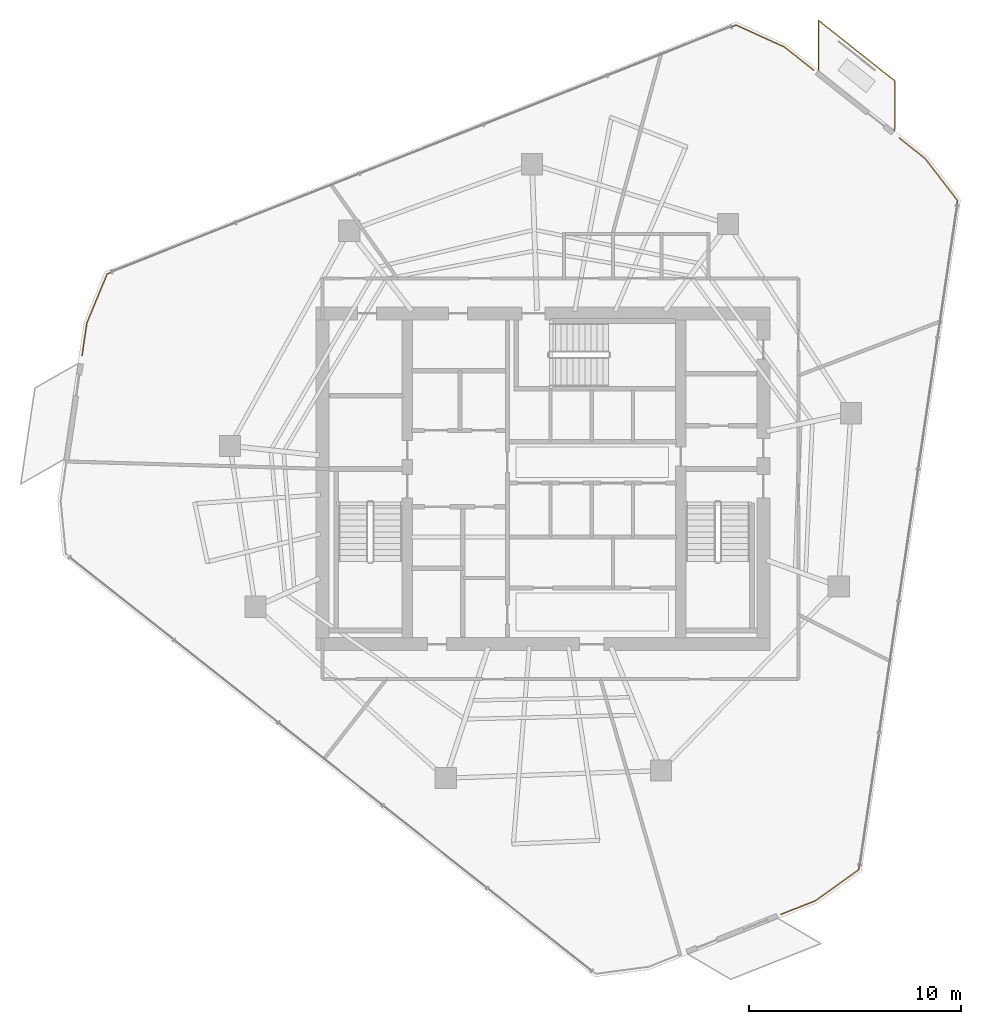
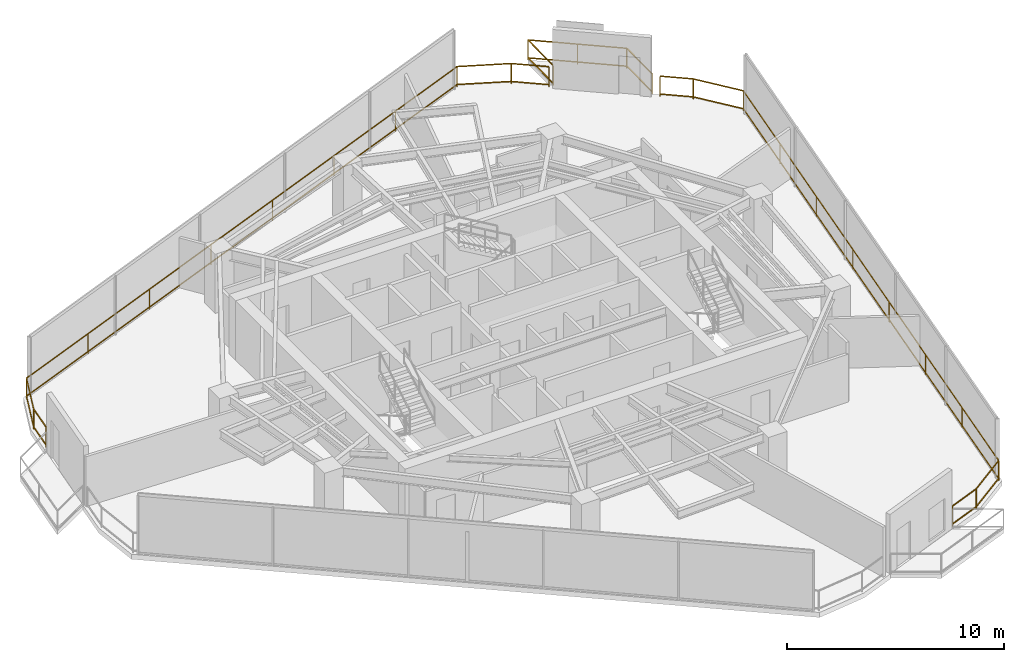
# One storey, part 20 of 20: 4 railings.
"""IFC4 building model written with IfcOpenShell, lengths in metres."""

from ifc_helpers import new_model, si_unit, direction, frame, origin, origin_2d, place, context, subcontext, project, spatial, rectangle, extrude, material, type_object, element, save


model = new_model("IFC4")

# Units and contexts
model_context = context("Model", 3, precision=1e-05, world=origin(), true_north=direction((0.0, 1.0)))
body_context = subcontext(model_context, "Body", "Model", "MODEL_VIEW")
ifc_project = project(units=[si_unit("LENGTHUNIT", "METRE"), si_unit("AREAUNIT", "SQUARE_METRE"), si_unit("VOLUMEUNIT", "CUBIC_METRE"), si_unit("PLANEANGLEUNIT", "RADIAN"), si_unit("MASSUNIT", "GRAM", prefix="KILO")], contexts=[model_context])

# Site, building, storey
site_placement = place(None, origin())
site = spatial("IfcSite", under=ifc_project, at=site_placement, CompositionType="ELEMENT")
building_placement = place(site_placement, origin())
building = spatial("IfcBuilding", under=site, at=building_placement, Name="Qarnah Convention Tower", CompositionType="ELEMENT")
storey_placement = place(building_placement, frame((0.0, 0.0, 147.300048828125)))
storey = spatial("IfcBuildingStorey", under=building, at=storey_placement, Name="L39", CompositionType="ELEMENT", Elevation=147.300048828125)

# Railings
ifc_material = material(Name="Black anodised aluminium", Category="aluminium")
railing_type = type_object("IfcRailingType", Name="RL-EXT-GUARD-1150", PredefinedType="GUARDRAIL", material=ifc_material)
railing_1_placement = place(storey_placement, frame((48.5869140625, 46.77001953125, 0.0)))
element("IfcRailing", 1, at=railing_1_placement, inside=storey, type_object=railing_type, Name="L39 slab-edge perimeter safety guard 01", PredefinedType="GUARDRAIL", context=body_context, shape_type="SweptSolid", body=[
    extrude(rectangle(XDim=0.048095703125, YDim=0.048095703125, at=origin_2d()), frame((0.0, 0.0, 1.1259765625), z_axis=(0.78360464091, -0.621259822252, 0.0), x_axis=(0.621259822252, 0.78360464091, 0.0)), (0.0, 0.0, 1.0), 1.762451171875),
    extrude(rectangle(XDim=0.048095703125, YDim=0.048095703125, at=origin_2d()), frame((0.0, 0.0, 0.1201171875), z_axis=(0.78360464091, -0.621259822252, 0.0), x_axis=(0.621259822252, 0.78360464091, 0.0)), (0.0, 0.0, 1.0), 1.762451171875),
    extrude(rectangle(XDim=0.0419921875, YDim=0.0419921875, at=origin_2d()), origin(), (0.0, 0.0, 1.0), 1.101806640625),
    extrude(rectangle(XDim=0.0419921875, YDim=0.0419921875, at=origin_2d()), frame((1.381103515625, -1.094970703125, 0.0)), (0.0, 0.0, 1.0), 1.101806640625),
])
railing_2_placement = place(storey_placement, frame((54.010986328125, 42.470947265625, 0.0)))
element("IfcRailing", 2, at=railing_2_placement, inside=storey, type_object=railing_type, Name="L39 slab-edge perimeter safety guard 02", PredefinedType="GUARDRAIL", context=body_context, shape_type="SweptSolid", body=[
    extrude(rectangle(XDim=0.048095703125, YDim=0.048095703125, at=origin_2d()), frame((0.0, 0.0, 1.1259765625), z_axis=(0.783685182025, -0.621158220967, 0.0), x_axis=(0.621158220967, 0.783685182025, 0.0)), (0.0, 0.0, 1.0), 1.5517578125),
    extrude(rectangle(XDim=0.048095703125, YDim=0.048095703125, at=origin_2d()), frame((0.0, 0.0, 0.1201171875), z_axis=(0.783685182025, -0.621158220967, 0.0), x_axis=(0.621158220967, 0.783685182025, 0.0)), (0.0, 0.0, 1.0), 1.5517578125),
    extrude(rectangle(XDim=0.048095703125, YDim=0.048095703125, at=origin_2d()), frame((1.216064453125, -0.9638671875, 1.1259765625), z_axis=(0.610223877588, -0.792229019426, 0.0), x_axis=(0.792229019426, 0.610223877588, 0.0)), (0.0, 0.0, 1.0), 2.505615234375),
    extrude(rectangle(XDim=0.048095703125, YDim=0.048095703125, at=origin_2d()), frame((1.216064453125, -0.9638671875, 0.1201171875), z_axis=(0.610223877588, -0.792229019426, 0.0), x_axis=(0.792229019426, 0.610223877588, 0.0)), (0.0, 0.0, 1.0), 2.505615234375),
    extrude(rectangle(XDim=0.048095703125, YDim=0.048095703125, at=origin_2d()), frame((2.7451171875, -2.948974609375, 1.1259765625), z_axis=(-0.146104986522, -0.989269090245, 0.0), x_axis=(0.989269090245, -0.146104986522, 0.0)), (0.0, 0.0, 1.0), 31.909423828125),
    extrude(rectangle(XDim=0.048095703125, YDim=0.048095703125, at=origin_2d()), frame((2.7451171875, -2.948974609375, 0.1201171875), z_axis=(-0.146104986522, -0.989269090245, 0.0), x_axis=(0.989269090245, -0.146104986522, 0.0)), (0.0, 0.0, 1.0), 31.909423828125),
    extrude(rectangle(XDim=0.048095703125, YDim=0.048095703125, at=origin_2d()), frame((-1.9169921875, -34.515869140625, 1.1259765625), z_axis=(-0.813311955975, -0.581827863091, 0.0), x_axis=(0.581827863091, -0.813311955975, 0.0)), (0.0, 0.0, 1.0), 2.505859375),
    extrude(rectangle(XDim=0.048095703125, YDim=0.048095703125, at=origin_2d()), frame((-1.9169921875, -34.515869140625, 0.1201171875), z_axis=(-0.813311955975, -0.581827863091, 0.0), x_axis=(0.581827863091, -0.813311955975, 0.0)), (0.0, 0.0, 1.0), 2.505859375),
    extrude(rectangle(XDim=0.048095703125, YDim=0.048095703125, at=origin_2d()), frame((-3.955078125, -35.973876953125, 1.1259765625), z_axis=(-0.929722659889, -0.368260472612, 0.0), x_axis=(0.368260472612, -0.929722659889, 0.0)), (0.0, 0.0, 1.0), 1.7626953125),
    extrude(rectangle(XDim=0.048095703125, YDim=0.048095703125, at=origin_2d()), frame((-3.955078125, -35.973876953125, 0.1201171875), z_axis=(-0.929722659889, -0.368260472612, 0.0), x_axis=(0.368260472612, -0.929722659889, 0.0)), (0.0, 0.0, 1.0), 1.7626953125),
    extrude(rectangle(XDim=0.0419921875, YDim=0.0419921875, at=origin_2d()), origin(), (0.0, 0.0, 1.0), 1.101806640625),
    extrude(rectangle(XDim=0.0419921875, YDim=0.0419921875, at=origin_2d()), frame((1.216064453125, -0.9638671875, 0.0)), (0.0, 0.0, 1.0), 1.101806640625),
    extrude(rectangle(XDim=0.0419921875, YDim=0.0419921875, at=origin_2d()), frame((2.7451171875, -2.948974609375, 0.0)), (0.0, 0.0, 1.0), 1.101806640625),
    extrude(rectangle(XDim=0.0419921875, YDim=0.0419921875, at=origin_2d()), frame((2.0791015625, -7.45849609375, 0.0)), (0.0, 0.0, 1.0), 1.101806640625),
    extrude(rectangle(XDim=0.0419921875, YDim=0.0419921875, at=origin_2d()), frame((1.4130859375, -11.968017578125, 0.0)), (0.0, 0.0, 1.0), 1.101806640625),
    extrude(rectangle(XDim=0.0419921875, YDim=0.0419921875, at=origin_2d()), frame((0.7470703125, -16.4775390625, 0.0)), (0.0, 0.0, 1.0), 1.101806640625),
    extrude(rectangle(XDim=0.0419921875, YDim=0.0419921875, at=origin_2d()), frame((0.0810546875, -20.9873046875, 0.0)), (0.0, 0.0, 1.0), 1.101806640625),
    extrude(rectangle(XDim=0.0419921875, YDim=0.0419921875, at=origin_2d()), frame((-0.5849609375, -25.496826171875, 0.0)), (0.0, 0.0, 1.0), 1.101806640625),
    extrude(rectangle(XDim=0.0419921875, YDim=0.0419921875, at=origin_2d()), frame((-1.2509765625, -30.00634765625, 0.0)), (0.0, 0.0, 1.0), 1.101806640625),
    extrude(rectangle(XDim=0.0419921875, YDim=0.0419921875, at=origin_2d()), frame((-1.9169921875, -34.515869140625, 0.0)), (0.0, 0.0, 1.0), 1.101806640625),
    extrude(rectangle(XDim=0.0419921875, YDim=0.0419921875, at=origin_2d()), frame((-3.955078125, -35.973876953125, 0.0)), (0.0, 0.0, 1.0), 1.101806640625),
    extrude(rectangle(XDim=0.0419921875, YDim=0.0419921875, at=origin_2d()), frame((-5.593994140625, -36.623046875, 0.0)), (0.0, 0.0, 1.0), 1.101806640625),
])
railing_3_placement = place(storey_placement, frame((15.455078125, 32.20703125, 0.0)))
element("IfcRailing", 3, at=railing_3_placement, inside=storey, type_object=railing_type, Name="L39 slab-edge perimeter safety guard 04", PredefinedType="GUARDRAIL", context=body_context, shape_type="SweptSolid", body=[
    extrude(rectangle(XDim=0.048095703125, YDim=0.048095703125, at=origin_2d()), frame((0.0, 0.0, 1.1259765625), z_axis=(0.146087021079, 0.989271743391, 0.0), x_axis=(-0.989271743391, 0.146087021079, 0.0)), (0.0, 0.0, 1.0), 1.552490234375),
    extrude(rectangle(XDim=0.048095703125, YDim=0.048095703125, at=origin_2d()), frame((0.0, 0.0, 0.1201171875), z_axis=(0.146087021079, 0.989271743391, 0.0), x_axis=(-0.989271743391, 0.146087021079, 0.0)), (0.0, 0.0, 1.0), 1.552490234375),
    extrude(rectangle(XDim=0.048095703125, YDim=0.048095703125, at=origin_2d()), frame((0.226806640625, 1.535888671875, 1.1259765625), z_axis=(0.381215372437, 0.924486257236, 0.0), x_axis=(-0.924486257236, 0.381215372437, 0.0)), (0.0, 0.0, 1.0), 2.50537109375),
    extrude(rectangle(XDim=0.048095703125, YDim=0.048095703125, at=origin_2d()), frame((0.226806640625, 1.535888671875, 0.1201171875), z_axis=(0.381215372437, 0.924486257236, 0.0), x_axis=(-0.924486257236, 0.381215372437, 0.0)), (0.0, 0.0, 1.0), 2.50537109375),
    extrude(rectangle(XDim=0.048095703125, YDim=0.048095703125, at=origin_2d()), frame((1.181884765625, 3.85205078125, 1.1259765625), z_axis=(0.929778025577, 0.368120663851, 0.0), x_axis=(-0.368120663851, 0.929778025577, 0.0)), (0.0, 0.0, 1.0), 31.90771484375),
    extrude(rectangle(XDim=0.048095703125, YDim=0.048095703125, at=origin_2d()), frame((1.181884765625, 3.85205078125, 0.1201171875), z_axis=(0.929778025577, 0.368120663851, 0.0), x_axis=(-0.368120663851, 0.929778025577, 0.0)), (0.0, 0.0, 1.0), 31.90771484375),
    extrude(rectangle(XDim=0.048095703125, YDim=0.048095703125, at=origin_2d()), frame((30.848876953125, 15.597900390625, 1.1259765625), z_axis=(0.910786295064, -0.41287809911, 0.0), x_axis=(0.41287809911, 0.910786295064, 0.0)), (0.0, 0.0, 1.0), 2.506591796875),
    extrude(rectangle(XDim=0.048095703125, YDim=0.048095703125, at=origin_2d()), frame((30.848876953125, 15.597900390625, 0.1201171875), z_axis=(0.910786295064, -0.41287809911, 0.0), x_axis=(0.41287809911, 0.910786295064, 0.0)), (0.0, 0.0, 1.0), 2.506591796875),
    extrude(rectangle(XDim=0.0419921875, YDim=0.0419921875, at=origin_2d()), origin(), (0.0, 0.0, 1.0), 1.101806640625),
    extrude(rectangle(XDim=0.0419921875, YDim=0.0419921875, at=origin_2d()), frame((0.226806640625, 1.535888671875, 0.0)), (0.0, 0.0, 1.0), 1.101806640625),
    extrude(rectangle(XDim=0.0419921875, YDim=0.0419921875, at=origin_2d()), frame((1.181884765625, 3.85205078125, 0.0)), (0.0, 0.0, 1.0), 1.101806640625),
    extrude(rectangle(XDim=0.0419921875, YDim=0.0419921875, at=origin_2d()), frame((5.419921875, 5.530029296875, 0.0)), (0.0, 0.0, 1.0), 1.101806640625),
    extrude(rectangle(XDim=0.0419921875, YDim=0.0419921875, at=origin_2d()), frame((9.658203125, 7.2080078125, 0.0)), (0.0, 0.0, 1.0), 1.101806640625),
    extrude(rectangle(XDim=0.0419921875, YDim=0.0419921875, at=origin_2d()), frame((13.896240234375, 8.885986328125, 0.0)), (0.0, 0.0, 1.0), 1.101806640625),
    extrude(rectangle(XDim=0.0419921875, YDim=0.0419921875, at=origin_2d()), frame((18.134521484375, 10.56396484375, 0.0)), (0.0, 0.0, 1.0), 1.101806640625),
    extrude(rectangle(XDim=0.0419921875, YDim=0.0419921875, at=origin_2d()), frame((22.37255859375, 12.241943359375, 0.0)), (0.0, 0.0, 1.0), 1.101806640625),
    extrude(rectangle(XDim=0.0419921875, YDim=0.0419921875, at=origin_2d()), frame((26.61083984375, 13.919921875, 0.0)), (0.0, 0.0, 1.0), 1.101806640625),
    extrude(rectangle(XDim=0.0419921875, YDim=0.0419921875, at=origin_2d()), frame((30.848876953125, 15.597900390625, 0.0)), (0.0, 0.0, 1.0), 1.101806640625),
    extrude(rectangle(XDim=0.0419921875, YDim=0.0419921875, at=origin_2d()), frame((33.1318359375, 14.56298828125, 0.0)), (0.0, 0.0, 1.0), 1.101806640625),
])
railing_4_placement = place(storey_placement, frame((50.18798828125, 45.673095703125, 0.0)))
element("IfcRailing", 4, at=railing_4_placement, inside=storey, type_object=railing_type, Name="L39 balcony safety guard BAL-L39-C1", PredefinedType="GUARDRAIL", context=body_context, shape_type="SweptSolid", body=[
    extrude(rectangle(XDim=0.048095703125, YDim=0.048095703125, at=origin_2d()), frame((0.0, 0.0, 1.1259765625), z_axis=(0.007278584356, 0.999973510754, 0.0), x_axis=(-0.999973510754, 0.007278584356, 0.0)), (0.0, 0.0, 1.0), 2.347900390625),
    extrude(rectangle(XDim=0.048095703125, YDim=0.048095703125, at=origin_2d()), frame((0.0, 0.0, 0.1201171875), z_axis=(0.007278584356, 0.999973510754, 0.0), x_axis=(-0.999973510754, 0.007278584356, 0.0)), (0.0, 0.0, 1.0), 2.347900390625),
    extrude(rectangle(XDim=0.048095703125, YDim=0.048095703125, at=origin_2d()), frame((0.01708984375, 2.347900390625, 1.1259765625), z_axis=(0.783625959157, -0.621232932269, 0.0), x_axis=(0.621232932269, 0.783625959157, 0.0)), (0.0, 0.0, 1.0), 4.600341796875),
    extrude(rectangle(XDim=0.048095703125, YDim=0.048095703125, at=origin_2d()), frame((0.01708984375, 2.347900390625, 0.1201171875), z_axis=(0.783625959157, -0.621232932269, 0.0), x_axis=(0.621232932269, 0.783625959157, 0.0)), (0.0, 0.0, 1.0), 4.600341796875),
    extrude(rectangle(XDim=0.048095703125, YDim=0.048095703125, at=origin_2d()), frame((3.6220703125, -0.510009765625, 1.1259765625), z_axis=(-0.007280855481, -0.99997349422, 0.0), x_axis=(0.99997349422, -0.007280855481, 0.0)), (0.0, 0.0, 1.0), 2.34716796875),
    extrude(rectangle(XDim=0.048095703125, YDim=0.048095703125, at=origin_2d()), frame((3.6220703125, -0.510009765625, 0.1201171875), z_axis=(-0.007280855481, -0.99997349422, 0.0), x_axis=(0.99997349422, -0.007280855481, 0.0)), (0.0, 0.0, 1.0), 2.34716796875),
    extrude(rectangle(XDim=0.0419921875, YDim=0.0419921875, at=origin_2d()), origin(), (0.0, 0.0, 1.0), 1.101806640625),
    extrude(rectangle(XDim=0.0419921875, YDim=0.0419921875, at=origin_2d()), frame((0.01708984375, 2.347900390625, 0.0)), (0.0, 0.0, 1.0), 1.101806640625),
    extrude(rectangle(XDim=0.0419921875, YDim=0.0419921875, at=origin_2d()), frame((1.819580078125, 0.9189453125, 0.0)), (0.0, 0.0, 1.0), 1.101806640625),
    extrude(rectangle(XDim=0.0419921875, YDim=0.0419921875, at=origin_2d()), frame((3.6220703125, -0.510009765625, 0.0)), (0.0, 0.0, 1.0), 1.101806640625),
    extrude(rectangle(XDim=0.0419921875, YDim=0.0419921875, at=origin_2d()), frame((3.60498046875, -2.857177734375, 0.0)), (0.0, 0.0, 1.0), 1.101806640625),
])

save(model, "model.ifc")
